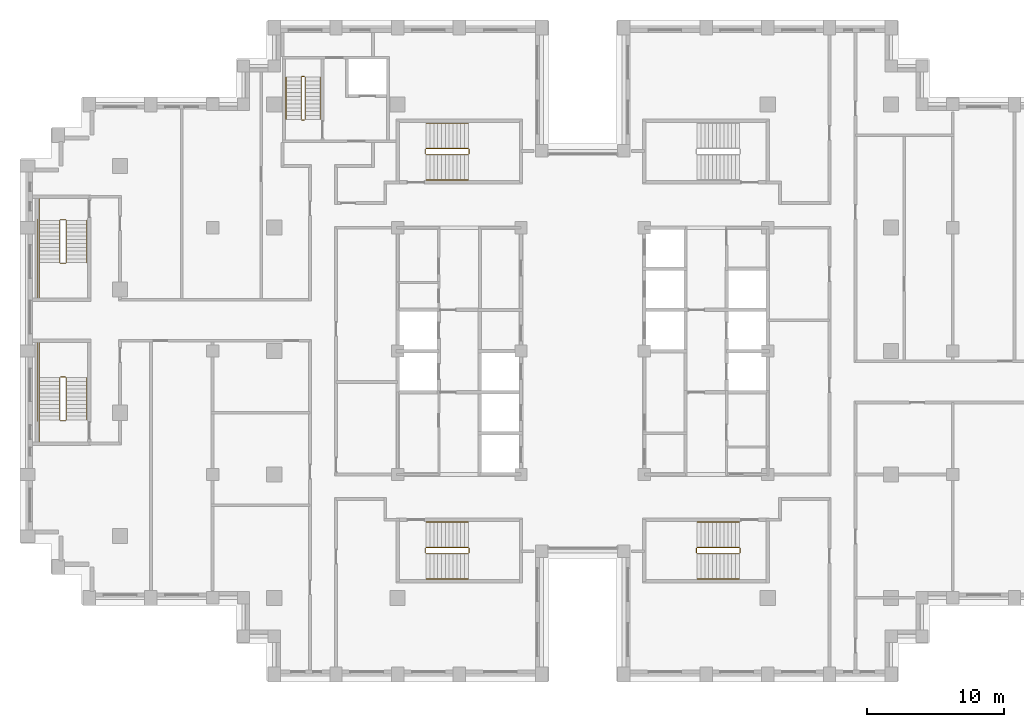
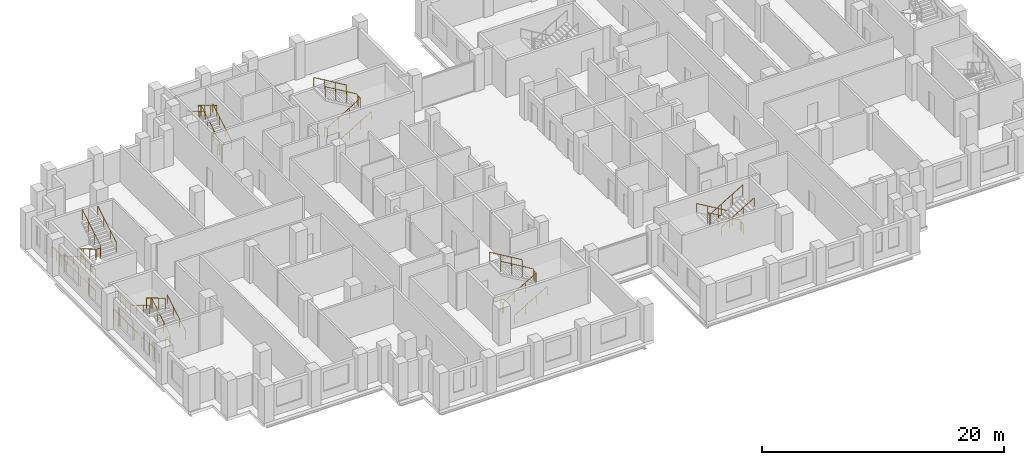
# One storey, part 15 of 16: 6 railings.
"""IFC4 building model written with IfcOpenShell, lengths in metres."""

from ifc_helpers import new_model, si_unit, direction, frame, origin, origin_2d, place, context, subcontext, project, spatial, circle, extrude, material, type_object, element, save


model = new_model("IFC4")

# Units and contexts
model_context = context("Model", 3, precision=1e-05, world=origin(), true_north=direction((0.0, 1.0)))
body_context = subcontext(model_context, "Body", "Model", "MODEL_VIEW")
ifc_project = project(units=[si_unit("LENGTHUNIT", "METRE"), si_unit("AREAUNIT", "SQUARE_METRE"), si_unit("VOLUMEUNIT", "CUBIC_METRE"), si_unit("PLANEANGLEUNIT", "RADIAN"), si_unit("MASSUNIT", "GRAM", prefix="KILO")], contexts=[model_context])

# Site, building, storey
site_placement = place(None, origin())
site = spatial("IfcSite", under=ifc_project, at=site_placement, CompositionType="ELEMENT")
building_placement = place(site_placement, origin())
building = spatial("IfcBuilding", under=site, at=building_placement, Name="Corbelhall Arena Tower", CompositionType="ELEMENT")
storey_placement = place(building_placement, frame((0.0, 0.0, 158.0)))
storey = spatial("IfcBuildingStorey", under=building, at=storey_placement, Name="L31", CompositionType="ELEMENT", Elevation=158.0)

# Railings
ifc_material = material(Name="Steel ASTM A500 Gr C", Category="steel")
railing_type = type_object("IfcRailingType", Name="IN-GD-1100", PredefinedType="GUARDRAIL", material=ifc_material)
railing_1_placement = place(storey_placement, frame((-11.425048828125, 14.324951171875, 0.166748046875)))
element("IfcRailing", 1, at=railing_1_placement, inside=storey, type_object=railing_type, Name="L31 ST1 stair guards and handrails", PredefinedType="GUARDRAIL", context=body_context, shape_type="SweptSolid", body=[
    extrude(circle(Radius=0.02392578125, at=origin_2d()), frame((0.0, 0.0, 1.076171875), z_axis=(0.859308565015, 0.0, 0.511457515432), x_axis=(0.0, 1.0, 0.0)), (0.0, 0.0, 1.0), 3.58447265625),
    extrude(circle(Radius=0.02392578125, at=origin_2d()), frame((3.130126953125, 0.050048828125, 2.9091796875), z_axis=(0.0, 1.0, 0.0), x_axis=(-1.0, 0.0, 0.0)), (0.0, 0.0, 1.0), 0.35009765625),
    extrude(circle(Radius=0.02392578125, at=origin_2d()), frame((3.080078125, 0.449951171875, 3.076171875), z_axis=(-0.859308565015, 0.0, 0.511457515432), x_axis=(0.0, -1.0, 0.0)), (0.0, 0.0, 1.0), 3.58447265625),
    extrude(circle(Radius=0.02392578125, at=origin_2d()), frame((-0.050048828125, 0.050048828125, 0.9091796875), z_axis=(0.0, 1.0, 0.0), x_axis=(-1.0, 0.0, 0.0)), (0.0, 0.0, 1.0), 0.35009765625),
    extrude(circle(Radius=0.02392578125, at=origin_2d()), frame((0.0, -1.849853515625, 0.8759765625), z_axis=(0.859308565015, 0.0, 0.511457515432), x_axis=(0.0, 1.0, 0.0)), (0.0, 0.0, 1.0), 3.58447265625),
    extrude(circle(Radius=0.02392578125, at=origin_2d()), frame((3.080078125, 2.300048828125, 2.8759765625), z_axis=(-0.859308565015, 0.0, 0.511457515432), x_axis=(0.0, -1.0, 0.0)), (0.0, 0.0, 1.0), 3.58447265625),
    extrude(circle(Radius=0.02099609375, at=origin_2d()), origin(), (0.0, 0.0, 1.0), 1.052001953125),
    extrude(circle(Radius=0.02099609375, at=origin_2d()), frame((1.026611328125, 0.0, 0.611083984375)), (0.0, 0.0, 1.0), 1.052001953125),
    extrude(circle(Radius=0.02099609375, at=origin_2d()), frame((2.053466796875, 0.0, 1.22216796875)), (0.0, 0.0, 1.0), 1.052001953125),
    extrude(circle(Radius=0.02099609375, at=origin_2d()), frame((3.080078125, 0.0, 1.833251953125)), (0.0, 0.0, 1.0), 1.052001953125),
    extrude(circle(Radius=0.02099609375, at=origin_2d()), frame((3.130126953125, 0.050048828125, 1.833251953125)), (0.0, 0.0, 1.0), 1.052001953125),
    extrude(circle(Radius=0.02099609375, at=origin_2d()), frame((3.130126953125, 0.400146484375, 1.833251953125)), (0.0, 0.0, 1.0), 1.052001953125),
    extrude(circle(Radius=0.02099609375, at=origin_2d()), frame((3.080078125, 0.449951171875, 2.0)), (0.0, 0.0, 1.0), 1.052001953125),
    extrude(circle(Radius=0.02099609375, at=origin_2d()), frame((2.053466796875, 0.449951171875, 2.611083984375)), (0.0, 0.0, 1.0), 1.052001953125),
    extrude(circle(Radius=0.02099609375, at=origin_2d()), frame((1.026611328125, 0.449951171875, 3.22216796875)), (0.0, 0.0, 1.0), 1.052001953125),
    extrude(circle(Radius=0.02099609375, at=origin_2d()), frame((0.0, 0.449951171875, 3.833251953125)), (0.0, 0.0, 1.0), 1.052001953125),
    extrude(circle(Radius=0.02099609375, at=origin_2d()), frame((-0.050048828125, 0.050048828125, -0.166748046875)), (0.0, 0.0, 1.0), 1.052001953125),
    extrude(circle(Radius=0.02099609375, at=origin_2d()), frame((-0.050048828125, 0.400146484375, -0.166748046875)), (0.0, 0.0, 1.0), 1.052001953125),
    extrude(circle(Radius=0.02099609375, at=origin_2d()), frame((0.0, -1.849853515625, 0.0)), (0.0, 0.0, 1.0), 0.851806640625),
    extrude(circle(Radius=0.02099609375, at=origin_2d()), frame((1.026611328125, -1.849853515625, 0.611083984375)), (0.0, 0.0, 1.0), 0.851806640625),
    extrude(circle(Radius=0.02099609375, at=origin_2d()), frame((2.053466796875, -1.849853515625, 1.22216796875)), (0.0, 0.0, 1.0), 0.851806640625),
    extrude(circle(Radius=0.02099609375, at=origin_2d()), frame((3.080078125, -1.849853515625, 1.833251953125)), (0.0, 0.0, 1.0), 0.851806640625),
    extrude(circle(Radius=0.02099609375, at=origin_2d()), frame((3.080078125, 2.300048828125, 2.0)), (0.0, 0.0, 1.0), 0.851806640625),
    extrude(circle(Radius=0.02099609375, at=origin_2d()), frame((2.053466796875, 2.300048828125, 2.611083984375)), (0.0, 0.0, 1.0), 0.851806640625),
    extrude(circle(Radius=0.02099609375, at=origin_2d()), frame((1.026611328125, 2.300048828125, 3.22216796875)), (0.0, 0.0, 1.0), 0.851806640625),
    extrude(circle(Radius=0.02099609375, at=origin_2d()), frame((0.0, 2.300048828125, 3.833251953125)), (0.0, 0.0, 1.0), 0.851806640625),
])
railing_2_placement = place(storey_placement, frame((-11.425048828125, -14.77490234375, 0.166748046875)))
element("IfcRailing", 2, at=railing_2_placement, inside=storey, type_object=railing_type, Name="L31 ST2 stair guards and handrails", PredefinedType="GUARDRAIL", context=body_context, shape_type="SweptSolid", body=[
    extrude(circle(Radius=0.02392578125, at=origin_2d()), frame((0.0, 0.0, 1.076171875), z_axis=(0.859308565015, 0.0, 0.511457515432), x_axis=(0.0, 1.0, 0.0)), (0.0, 0.0, 1.0), 3.58447265625),
    extrude(circle(Radius=0.02392578125, at=origin_2d()), frame((3.130126953125, 0.0498046875, 2.9091796875), z_axis=(0.0, 1.0, 0.0), x_axis=(-1.0, 0.0, 0.0)), (0.0, 0.0, 1.0), 0.35009765625),
    extrude(circle(Radius=0.02392578125, at=origin_2d()), frame((3.080078125, 0.449951171875, 3.076171875), z_axis=(-0.859308565015, 0.0, 0.511457515432), x_axis=(0.0, -1.0, 0.0)), (0.0, 0.0, 1.0), 3.58447265625),
    extrude(circle(Radius=0.02392578125, at=origin_2d()), frame((-0.050048828125, 0.0498046875, 0.9091796875), z_axis=(0.0, 1.0, 0.0), x_axis=(-1.0, 0.0, 0.0)), (0.0, 0.0, 1.0), 0.35009765625),
    extrude(circle(Radius=0.02392578125, at=origin_2d()), frame((0.0, -1.85009765625, 0.8759765625), z_axis=(0.859308565015, 0.0, 0.511457515432), x_axis=(0.0, 1.0, 0.0)), (0.0, 0.0, 1.0), 3.58447265625),
    extrude(circle(Radius=0.02392578125, at=origin_2d()), frame((3.080078125, 2.2998046875, 2.8759765625), z_axis=(-0.859308565015, 0.0, 0.511457515432), x_axis=(0.0, -1.0, 0.0)), (0.0, 0.0, 1.0), 3.58447265625),
    extrude(circle(Radius=0.02099609375, at=origin_2d()), origin(), (0.0, 0.0, 1.0), 1.052001953125),
    extrude(circle(Radius=0.02099609375, at=origin_2d()), frame((1.026611328125, 0.0, 0.611083984375)), (0.0, 0.0, 1.0), 1.052001953125),
    extrude(circle(Radius=0.02099609375, at=origin_2d()), frame((2.053466796875, 0.0, 1.22216796875)), (0.0, 0.0, 1.0), 1.052001953125),
    extrude(circle(Radius=0.02099609375, at=origin_2d()), frame((3.080078125, 0.0, 1.833251953125)), (0.0, 0.0, 1.0), 1.052001953125),
    extrude(circle(Radius=0.02099609375, at=origin_2d()), frame((3.130126953125, 0.0498046875, 1.833251953125)), (0.0, 0.0, 1.0), 1.052001953125),
    extrude(circle(Radius=0.02099609375, at=origin_2d()), frame((3.130126953125, 0.39990234375, 1.833251953125)), (0.0, 0.0, 1.0), 1.052001953125),
    extrude(circle(Radius=0.02099609375, at=origin_2d()), frame((3.080078125, 0.449951171875, 2.0)), (0.0, 0.0, 1.0), 1.052001953125),
    extrude(circle(Radius=0.02099609375, at=origin_2d()), frame((2.053466796875, 0.449951171875, 2.611083984375)), (0.0, 0.0, 1.0), 1.052001953125),
    extrude(circle(Radius=0.02099609375, at=origin_2d()), frame((1.026611328125, 0.449951171875, 3.22216796875)), (0.0, 0.0, 1.0), 1.052001953125),
    extrude(circle(Radius=0.02099609375, at=origin_2d()), frame((0.0, 0.449951171875, 3.833251953125)), (0.0, 0.0, 1.0), 1.052001953125),
    extrude(circle(Radius=0.02099609375, at=origin_2d()), frame((-0.050048828125, 0.0498046875, -0.166748046875)), (0.0, 0.0, 1.0), 1.052001953125),
    extrude(circle(Radius=0.02099609375, at=origin_2d()), frame((-0.050048828125, 0.39990234375, -0.166748046875)), (0.0, 0.0, 1.0), 1.052001953125),
    extrude(circle(Radius=0.02099609375, at=origin_2d()), frame((0.0, -1.85009765625, 0.0)), (0.0, 0.0, 1.0), 0.851806640625),
    extrude(circle(Radius=0.02099609375, at=origin_2d()), frame((1.026611328125, -1.85009765625, 0.611083984375)), (0.0, 0.0, 1.0), 0.851806640625),
    extrude(circle(Radius=0.02099609375, at=origin_2d()), frame((2.053466796875, -1.85009765625, 1.22216796875)), (0.0, 0.0, 1.0), 0.851806640625),
    extrude(circle(Radius=0.02099609375, at=origin_2d()), frame((3.080078125, -1.85009765625, 1.833251953125)), (0.0, 0.0, 1.0), 0.851806640625),
    extrude(circle(Radius=0.02099609375, at=origin_2d()), frame((3.080078125, 2.2998046875, 2.0)), (0.0, 0.0, 1.0), 0.851806640625),
    extrude(circle(Radius=0.02099609375, at=origin_2d()), frame((2.053466796875, 2.2998046875, 2.611083984375)), (0.0, 0.0, 1.0), 0.851806640625),
    extrude(circle(Radius=0.02099609375, at=origin_2d()), frame((1.026611328125, 2.2998046875, 3.22216796875)), (0.0, 0.0, 1.0), 0.851806640625),
    extrude(circle(Radius=0.02099609375, at=origin_2d()), frame((0.0, 2.2998046875, 3.833251953125)), (0.0, 0.0, 1.0), 0.851806640625),
])
railing_3_placement = place(storey_placement, frame((11.425048828125, -14.324951171875, 0.166748046875)))
element("IfcRailing", 3, at=railing_3_placement, inside=storey, type_object=railing_type, Name="L31 ST4 stair guards and handrails", PredefinedType="GUARDRAIL", context=body_context, shape_type="SweptSolid", body=[
    extrude(circle(Radius=0.02392578125, at=origin_2d()), frame((0.0, 0.0, 1.076171875), z_axis=(-0.859308565015, 0.0, 0.511457515432), x_axis=(0.0, -1.0, 0.0)), (0.0, 0.0, 1.0), 3.58447265625),
    extrude(circle(Radius=0.02392578125, at=origin_2d()), frame((-3.130126953125, -0.050048828125, 2.9091796875), z_axis=(0.0, -1.0, 0.0), x_axis=(1.0, 0.0, 0.0)), (0.0, 0.0, 1.0), 0.35009765625),
    extrude(circle(Radius=0.02392578125, at=origin_2d()), frame((-3.080078125, -0.449951171875, 3.076171875), z_axis=(0.859308565015, 0.0, 0.511457515432), x_axis=(0.0, 1.0, 0.0)), (0.0, 0.0, 1.0), 3.58447265625),
    extrude(circle(Radius=0.02392578125, at=origin_2d()), frame((0.050048828125, -0.050048828125, 0.9091796875), z_axis=(0.0, -1.0, 0.0), x_axis=(1.0, 0.0, 0.0)), (0.0, 0.0, 1.0), 0.35009765625),
    extrude(circle(Radius=0.02392578125, at=origin_2d()), frame((0.0, 1.849853515625, 0.8759765625), z_axis=(-0.859308565015, 0.0, 0.511457515432), x_axis=(0.0, -1.0, 0.0)), (0.0, 0.0, 1.0), 3.58447265625),
    extrude(circle(Radius=0.02392578125, at=origin_2d()), frame((-3.080078125, -2.300048828125, 2.8759765625), z_axis=(0.859308565015, 0.0, 0.511457515432), x_axis=(0.0, 1.0, 0.0)), (0.0, 0.0, 1.0), 3.58447265625),
    extrude(circle(Radius=0.02099609375, at=origin_2d()), origin(), (0.0, 0.0, 1.0), 1.052001953125),
    extrude(circle(Radius=0.02099609375, at=origin_2d()), frame((-1.026611328125, 0.0, 0.611083984375)), (0.0, 0.0, 1.0), 1.052001953125),
    extrude(circle(Radius=0.02099609375, at=origin_2d()), frame((-2.053466796875, 0.0, 1.22216796875)), (0.0, 0.0, 1.0), 1.052001953125),
    extrude(circle(Radius=0.02099609375, at=origin_2d()), frame((-3.080078125, 0.0, 1.833251953125)), (0.0, 0.0, 1.0), 1.052001953125),
    extrude(circle(Radius=0.02099609375, at=origin_2d()), frame((-3.130126953125, -0.050048828125, 1.833251953125)), (0.0, 0.0, 1.0), 1.052001953125),
    extrude(circle(Radius=0.02099609375, at=origin_2d()), frame((-3.130126953125, -0.400146484375, 1.833251953125)), (0.0, 0.0, 1.0), 1.052001953125),
    extrude(circle(Radius=0.02099609375, at=origin_2d()), frame((-3.080078125, -0.449951171875, 2.0)), (0.0, 0.0, 1.0), 1.052001953125),
    extrude(circle(Radius=0.02099609375, at=origin_2d()), frame((-2.053466796875, -0.449951171875, 2.611083984375)), (0.0, 0.0, 1.0), 1.052001953125),
    extrude(circle(Radius=0.02099609375, at=origin_2d()), frame((-1.026611328125, -0.449951171875, 3.22216796875)), (0.0, 0.0, 1.0), 1.052001953125),
    extrude(circle(Radius=0.02099609375, at=origin_2d()), frame((0.0, -0.449951171875, 3.833251953125)), (0.0, 0.0, 1.0), 1.052001953125),
    extrude(circle(Radius=0.02099609375, at=origin_2d()), frame((0.050048828125, -0.050048828125, -0.166748046875)), (0.0, 0.0, 1.0), 1.052001953125),
    extrude(circle(Radius=0.02099609375, at=origin_2d()), frame((0.050048828125, -0.400146484375, -0.166748046875)), (0.0, 0.0, 1.0), 1.052001953125),
    extrude(circle(Radius=0.02099609375, at=origin_2d()), frame((0.0, 1.849853515625, 0.0)), (0.0, 0.0, 1.0), 0.851806640625),
    extrude(circle(Radius=0.02099609375, at=origin_2d()), frame((-1.026611328125, 1.849853515625, 0.611083984375)), (0.0, 0.0, 1.0), 0.851806640625),
    extrude(circle(Radius=0.02099609375, at=origin_2d()), frame((-2.053466796875, 1.849853515625, 1.22216796875)), (0.0, 0.0, 1.0), 0.851806640625),
    extrude(circle(Radius=0.02099609375, at=origin_2d()), frame((-3.080078125, 1.849853515625, 1.833251953125)), (0.0, 0.0, 1.0), 0.851806640625),
    extrude(circle(Radius=0.02099609375, at=origin_2d()), frame((-3.080078125, -2.300048828125, 2.0)), (0.0, 0.0, 1.0), 0.851806640625),
    extrude(circle(Radius=0.02099609375, at=origin_2d()), frame((-2.053466796875, -2.300048828125, 2.611083984375)), (0.0, 0.0, 1.0), 0.851806640625),
    extrude(circle(Radius=0.02099609375, at=origin_2d()), frame((-1.026611328125, -2.300048828125, 3.22216796875)), (0.0, 0.0, 1.0), 0.851806640625),
    extrude(circle(Radius=0.02099609375, at=origin_2d()), frame((0.0, -2.300048828125, 3.833251953125)), (0.0, 0.0, 1.0), 0.851806640625),
])
railing_4_placement = place(storey_placement, frame((-38.14990234375, 9.52490234375, 0.166748046875)))
element("IfcRailing", 4, at=railing_4_placement, inside=storey, type_object=railing_type, Name="L31 SC1 stair guards and handrails", PredefinedType="GUARDRAIL", context=body_context, shape_type="SweptSolid", body=[
    extrude(circle(Radius=0.02392578125, at=origin_2d()), frame((0.0, 0.0, 1.076171875), z_axis=(0.0, -0.859290745958, 0.51148745235), x_axis=(1.0, 0.0, 0.0)), (0.0, 0.0, 1.0), 3.584228515625),
    extrude(circle(Radius=0.02392578125, at=origin_2d()), frame((0.0498046875, -3.1298828125, 2.9091796875), z_axis=(1.0, 0.0, 0.0), x_axis=(0.0, 1.0, 0.0)), (0.0, 0.0, 1.0), 0.375),
    extrude(circle(Radius=0.02392578125, at=origin_2d()), frame((-1.5, -3.079833984375, 2.9091796875), z_axis=(0.0, -1.0, 0.0), x_axis=(1.0, 0.0, 0.0)), (0.0, 0.0, 1.0), 2.570068359375),
    extrude(circle(Radius=0.02392578125, at=origin_2d()), frame((0.474853515625, -3.079833984375, 3.076171875), z_axis=(0.0, 0.859290745958, 0.51148745235), x_axis=(-1.0, 0.0, 0.0)), (0.0, 0.0, 1.0), 3.584228515625),
    extrude(circle(Radius=0.02392578125, at=origin_2d()), frame((0.0498046875, 0.050048828125, 0.9091796875), z_axis=(1.0, 0.0, 0.0), x_axis=(0.0, 1.0, 0.0)), (0.0, 0.0, 1.0), 0.375),
    extrude(circle(Radius=0.02392578125, at=origin_2d()), frame((-1.5, 1.60009765625, 0.9091796875), z_axis=(0.0, -1.0, 0.0), x_axis=(1.0, 0.0, 0.0)), (0.0, 0.0, 1.0), 1.60009765625),
    extrude(circle(Radius=0.02392578125, at=origin_2d()), frame((-1.60009765625, 0.10009765625, 0.9091796875), z_axis=(0.0, -1.0, 0.0), x_axis=(1.0, 0.0, 0.0)), (0.0, 0.0, 1.0), 5.85009765625),
    extrude(circle(Radius=0.02392578125, at=origin_2d()), frame((-1.5, 0.0, 0.8759765625), z_axis=(0.0, -0.859290745958, 0.51148745235), x_axis=(1.0, 0.0, 0.0)), (0.0, 0.0, 1.0), 3.584228515625),
    extrude(circle(Radius=0.02392578125, at=origin_2d()), frame((1.974853515625, -3.079833984375, 2.8759765625), z_axis=(0.0, 0.859290745958, 0.51148745235), x_axis=(-1.0, 0.0, 0.0)), (0.0, 0.0, 1.0), 3.584228515625),
    extrude(circle(Radius=0.02099609375, at=origin_2d()), origin(), (0.0, 0.0, 1.0), 1.052001953125),
    extrude(circle(Radius=0.02099609375, at=origin_2d()), frame((0.0, -1.026611328125, 0.611083984375)), (0.0, 0.0, 1.0), 1.052001953125),
    extrude(circle(Radius=0.02099609375, at=origin_2d()), frame((0.0, -2.05322265625, 1.22216796875)), (0.0, 0.0, 1.0), 1.052001953125),
    extrude(circle(Radius=0.02099609375, at=origin_2d()), frame((0.0, -3.079833984375, 1.833251953125)), (0.0, 0.0, 1.0), 1.052001953125),
    extrude(circle(Radius=0.02099609375, at=origin_2d()), frame((0.0498046875, -3.1298828125, 1.833251953125)), (0.0, 0.0, 1.0), 1.052001953125),
    extrude(circle(Radius=0.02099609375, at=origin_2d()), frame((0.4248046875, -3.1298828125, 1.833251953125)), (0.0, 0.0, 1.0), 1.052001953125),
    extrude(circle(Radius=0.02099609375, at=origin_2d()), frame((-1.5, -3.079833984375, 1.833251953125)), (0.0, 0.0, 1.0), 1.052001953125),
    extrude(circle(Radius=0.02099609375, at=origin_2d()), frame((-1.5, -3.9365234375, 1.833251953125)), (0.0, 0.0, 1.0), 1.052001953125),
    extrude(circle(Radius=0.02099609375, at=origin_2d()), frame((-1.5, -4.793212890625, 1.833251953125)), (0.0, 0.0, 1.0), 1.052001953125),
    extrude(circle(Radius=0.02099609375, at=origin_2d()), frame((-1.5, -5.64990234375, 1.833251953125)), (0.0, 0.0, 1.0), 1.052001953125),
    extrude(circle(Radius=0.02099609375, at=origin_2d()), frame((0.474853515625, -3.079833984375, 2.0)), (0.0, 0.0, 1.0), 1.052001953125),
    extrude(circle(Radius=0.02099609375, at=origin_2d()), frame((0.474853515625, -2.05322265625, 2.611083984375)), (0.0, 0.0, 1.0), 1.052001953125),
    extrude(circle(Radius=0.02099609375, at=origin_2d()), frame((0.474853515625, -1.026611328125, 3.22216796875)), (0.0, 0.0, 1.0), 1.052001953125),
    extrude(circle(Radius=0.02099609375, at=origin_2d()), frame((0.474853515625, 0.0, 3.833251953125)), (0.0, 0.0, 1.0), 1.052001953125),
    extrude(circle(Radius=0.02099609375, at=origin_2d()), frame((0.0498046875, 0.050048828125, -0.166748046875)), (0.0, 0.0, 1.0), 1.052001953125),
    extrude(circle(Radius=0.02099609375, at=origin_2d()), frame((0.4248046875, 0.050048828125, -0.166748046875)), (0.0, 0.0, 1.0), 1.052001953125),
    extrude(circle(Radius=0.02099609375, at=origin_2d()), frame((-1.5, 1.60009765625, -0.166748046875)), (0.0, 0.0, 1.0), 1.052001953125),
    extrude(circle(Radius=0.02099609375, at=origin_2d()), frame((-1.5, 0.800048828125, -0.166748046875)), (0.0, 0.0, 1.0), 1.052001953125),
    extrude(circle(Radius=0.02099609375, at=origin_2d()), frame((-1.5, 0.0, -0.166748046875)), (0.0, 0.0, 1.0), 1.052001953125),
    extrude(circle(Radius=0.02099609375, at=origin_2d()), frame((-1.60009765625, 0.10009765625, -0.166748046875)), (0.0, 0.0, 1.0), 1.052001953125),
    extrude(circle(Radius=0.02099609375, at=origin_2d()), frame((-1.60009765625, -1.06982421875, -0.166748046875)), (0.0, 0.0, 1.0), 1.052001953125),
    extrude(circle(Radius=0.02099609375, at=origin_2d()), frame((-1.60009765625, -2.239990234375, -0.166748046875)), (0.0, 0.0, 1.0), 1.052001953125),
    extrude(circle(Radius=0.02099609375, at=origin_2d()), frame((-1.60009765625, -3.409912109375, -0.166748046875)), (0.0, 0.0, 1.0), 1.052001953125),
    extrude(circle(Radius=0.02099609375, at=origin_2d()), frame((-1.60009765625, -4.580078125, -0.166748046875)), (0.0, 0.0, 1.0), 1.052001953125),
    extrude(circle(Radius=0.02099609375, at=origin_2d()), frame((-1.60009765625, -5.75, -0.166748046875)), (0.0, 0.0, 1.0), 1.052001953125),
    extrude(circle(Radius=0.02099609375, at=origin_2d()), frame((-1.5, 0.0, 0.0)), (0.0, 0.0, 1.0), 0.851806640625),
    extrude(circle(Radius=0.02099609375, at=origin_2d()), frame((-1.5, -1.026611328125, 0.611083984375)), (0.0, 0.0, 1.0), 0.851806640625),
    extrude(circle(Radius=0.02099609375, at=origin_2d()), frame((-1.5, -2.05322265625, 1.22216796875)), (0.0, 0.0, 1.0), 0.851806640625),
    extrude(circle(Radius=0.02099609375, at=origin_2d()), frame((1.974853515625, -3.079833984375, 2.0)), (0.0, 0.0, 1.0), 0.851806640625),
    extrude(circle(Radius=0.02099609375, at=origin_2d()), frame((1.974853515625, -2.05322265625, 2.611083984375)), (0.0, 0.0, 1.0), 0.851806640625),
    extrude(circle(Radius=0.02099609375, at=origin_2d()), frame((1.974853515625, -1.026611328125, 3.22216796875)), (0.0, 0.0, 1.0), 0.851806640625),
    extrude(circle(Radius=0.02099609375, at=origin_2d()), frame((1.974853515625, 0.0, 3.833251953125)), (0.0, 0.0, 1.0), 0.851806640625),
])
railing_5_placement = place(storey_placement, frame((-37.675048828125, -5.02490234375, 0.166748046875)))
element("IfcRailing", 5, at=railing_5_placement, inside=storey, type_object=railing_type, Name="L31 SC2 stair guards and handrails", PredefinedType="GUARDRAIL", context=body_context, shape_type="SweptSolid", body=[
    extrude(circle(Radius=0.02392578125, at=origin_2d()), frame((0.0, 0.0, 1.076171875), z_axis=(0.0, 0.859290745958, 0.51148745235), x_axis=(-1.0, 0.0, 0.0)), (0.0, 0.0, 1.0), 3.584228515625),
    extrude(circle(Radius=0.02392578125, at=origin_2d()), frame((-0.050048828125, 3.1298828125, 2.9091796875), z_axis=(-1.0, 0.0, 0.0), x_axis=(0.0, -1.0, 0.0)), (0.0, 0.0, 1.0), 0.375),
    extrude(circle(Radius=0.02392578125, at=origin_2d()), frame((-1.974853515625, 3.079833984375, 2.9091796875), z_axis=(0.0, 1.0, 0.0), x_axis=(-1.0, 0.0, 0.0)), (0.0, 0.0, 1.0), 2.570068359375),
    extrude(circle(Radius=0.02392578125, at=origin_2d()), frame((-0.474853515625, 3.079833984375, 3.076171875), z_axis=(0.0, -0.859290745958, 0.51148745235), x_axis=(1.0, 0.0, 0.0)), (0.0, 0.0, 1.0), 3.584228515625),
    extrude(circle(Radius=0.02392578125, at=origin_2d()), frame((-0.050048828125, -0.050048828125, 0.9091796875), z_axis=(-1.0, 0.0, 0.0), x_axis=(0.0, -1.0, 0.0)), (0.0, 0.0, 1.0), 0.375),
    extrude(circle(Radius=0.02392578125, at=origin_2d()), frame((-1.974853515625, -1.60009765625, 0.9091796875), z_axis=(0.0, 1.0, 0.0), x_axis=(-1.0, 0.0, 0.0)), (0.0, 0.0, 1.0), 1.60009765625),
    extrude(circle(Radius=0.02392578125, at=origin_2d()), frame((-2.074951171875, -0.10009765625, 0.9091796875), z_axis=(0.0, 1.0, 0.0), x_axis=(-1.0, 0.0, 0.0)), (0.0, 0.0, 1.0), 5.85009765625),
    extrude(circle(Radius=0.02392578125, at=origin_2d()), frame((1.5, 0.0, 0.8759765625), z_axis=(0.0, 0.859290745958, 0.51148745235), x_axis=(-1.0, 0.0, 0.0)), (0.0, 0.0, 1.0), 3.584228515625),
    extrude(circle(Radius=0.02392578125, at=origin_2d()), frame((-1.974853515625, 3.079833984375, 2.8759765625), z_axis=(0.0, -0.859290745958, 0.51148745235), x_axis=(1.0, 0.0, 0.0)), (0.0, 0.0, 1.0), 3.584228515625),
    extrude(circle(Radius=0.02099609375, at=origin_2d()), origin(), (0.0, 0.0, 1.0), 1.052001953125),
    extrude(circle(Radius=0.02099609375, at=origin_2d()), frame((0.0, 1.026611328125, 0.611083984375)), (0.0, 0.0, 1.0), 1.052001953125),
    extrude(circle(Radius=0.02099609375, at=origin_2d()), frame((0.0, 2.05322265625, 1.22216796875)), (0.0, 0.0, 1.0), 1.052001953125),
    extrude(circle(Radius=0.02099609375, at=origin_2d()), frame((0.0, 3.079833984375, 1.833251953125)), (0.0, 0.0, 1.0), 1.052001953125),
    extrude(circle(Radius=0.02099609375, at=origin_2d()), frame((-0.050048828125, 3.1298828125, 1.833251953125)), (0.0, 0.0, 1.0), 1.052001953125),
    extrude(circle(Radius=0.02099609375, at=origin_2d()), frame((-0.425048828125, 3.1298828125, 1.833251953125)), (0.0, 0.0, 1.0), 1.052001953125),
    extrude(circle(Radius=0.02099609375, at=origin_2d()), frame((-1.974853515625, 3.079833984375, 1.833251953125)), (0.0, 0.0, 1.0), 1.052001953125),
    extrude(circle(Radius=0.02099609375, at=origin_2d()), frame((-1.974853515625, 3.9365234375, 1.833251953125)), (0.0, 0.0, 1.0), 1.052001953125),
    extrude(circle(Radius=0.02099609375, at=origin_2d()), frame((-1.974853515625, 4.793212890625, 1.833251953125)), (0.0, 0.0, 1.0), 1.052001953125),
    extrude(circle(Radius=0.02099609375, at=origin_2d()), frame((-1.974853515625, 5.64990234375, 1.833251953125)), (0.0, 0.0, 1.0), 1.052001953125),
    extrude(circle(Radius=0.02099609375, at=origin_2d()), frame((-0.474853515625, 3.079833984375, 2.0)), (0.0, 0.0, 1.0), 1.052001953125),
    extrude(circle(Radius=0.02099609375, at=origin_2d()), frame((-0.474853515625, 2.05322265625, 2.611083984375)), (0.0, 0.0, 1.0), 1.052001953125),
    extrude(circle(Radius=0.02099609375, at=origin_2d()), frame((-0.474853515625, 1.026611328125, 3.22216796875)), (0.0, 0.0, 1.0), 1.052001953125),
    extrude(circle(Radius=0.02099609375, at=origin_2d()), frame((-0.474853515625, 0.0, 3.833251953125)), (0.0, 0.0, 1.0), 1.052001953125),
    extrude(circle(Radius=0.02099609375, at=origin_2d()), frame((-0.050048828125, -0.050048828125, -0.166748046875)), (0.0, 0.0, 1.0), 1.052001953125),
    extrude(circle(Radius=0.02099609375, at=origin_2d()), frame((-0.425048828125, -0.050048828125, -0.166748046875)), (0.0, 0.0, 1.0), 1.052001953125),
    extrude(circle(Radius=0.02099609375, at=origin_2d()), frame((-1.974853515625, -1.60009765625, -0.166748046875)), (0.0, 0.0, 1.0), 1.052001953125),
    extrude(circle(Radius=0.02099609375, at=origin_2d()), frame((-1.974853515625, -0.800048828125, -0.166748046875)), (0.0, 0.0, 1.0), 1.052001953125),
    extrude(circle(Radius=0.02099609375, at=origin_2d()), frame((-1.974853515625, 0.0, -0.166748046875)), (0.0, 0.0, 1.0), 1.052001953125),
    extrude(circle(Radius=0.02099609375, at=origin_2d()), frame((-2.074951171875, -0.10009765625, -0.166748046875)), (0.0, 0.0, 1.0), 1.052001953125),
    extrude(circle(Radius=0.02099609375, at=origin_2d()), frame((-2.074951171875, 1.06982421875, -0.166748046875)), (0.0, 0.0, 1.0), 1.052001953125),
    extrude(circle(Radius=0.02099609375, at=origin_2d()), frame((-2.074951171875, 2.239990234375, -0.166748046875)), (0.0, 0.0, 1.0), 1.052001953125),
    extrude(circle(Radius=0.02099609375, at=origin_2d()), frame((-2.074951171875, 3.409912109375, -0.166748046875)), (0.0, 0.0, 1.0), 1.052001953125),
    extrude(circle(Radius=0.02099609375, at=origin_2d()), frame((-2.074951171875, 4.580078125, -0.166748046875)), (0.0, 0.0, 1.0), 1.052001953125),
    extrude(circle(Radius=0.02099609375, at=origin_2d()), frame((-2.074951171875, 5.75, -0.166748046875)), (0.0, 0.0, 1.0), 1.052001953125),
    extrude(circle(Radius=0.02099609375, at=origin_2d()), frame((1.5, 0.0, 0.0)), (0.0, 0.0, 1.0), 0.851806640625),
    extrude(circle(Radius=0.02099609375, at=origin_2d()), frame((1.5, 1.026611328125, 0.611083984375)), (0.0, 0.0, 1.0), 0.851806640625),
    extrude(circle(Radius=0.02099609375, at=origin_2d()), frame((1.5, 2.05322265625, 1.22216796875)), (0.0, 0.0, 1.0), 0.851806640625),
    extrude(circle(Radius=0.02099609375, at=origin_2d()), frame((1.5, 3.079833984375, 1.833251953125)), (0.0, 0.0, 1.0), 0.851806640625),
    extrude(circle(Radius=0.02099609375, at=origin_2d()), frame((-1.974853515625, 3.079833984375, 2.0)), (0.0, 0.0, 1.0), 0.851806640625),
    extrude(circle(Radius=0.02099609375, at=origin_2d()), frame((-1.974853515625, 2.05322265625, 2.611083984375)), (0.0, 0.0, 1.0), 0.851806640625),
    extrude(circle(Radius=0.02099609375, at=origin_2d()), frame((-1.974853515625, 1.026611328125, 3.22216796875)), (0.0, 0.0, 1.0), 0.851806640625),
    extrude(circle(Radius=0.02099609375, at=origin_2d()), frame((-1.974853515625, 0.0, 3.833251953125)), (0.0, 0.0, 1.0), 0.851806640625),
])
railing_6_placement = place(storey_placement, frame((-20.2451171875, 16.89990234375, 0.166748046875)))
element("IfcRailing", 6, at=railing_6_placement, inside=storey, type_object=railing_type, Name="L31 ST5 stair guards and handrails", PredefinedType="GUARDRAIL", context=body_context, shape_type="SweptSolid", body=[
    extrude(circle(Radius=0.02392578125, at=origin_2d()), frame((0.0, 0.0, 1.076171875), z_axis=(0.0, 0.859308565015, 0.511457515432), x_axis=(-1.0, 0.0, 0.0)), (0.0, 0.0, 1.0), 3.58447265625),
    extrude(circle(Radius=0.02392578125, at=origin_2d()), frame((-0.0498046875, 3.130126953125, 2.9091796875), z_axis=(-1.0, 0.0, 0.0), x_axis=(0.0, -1.0, 0.0)), (0.0, 0.0, 1.0), 0.2001953125),
    extrude(circle(Radius=0.02392578125, at=origin_2d()), frame((-0.2998046875, 3.080078125, 3.076171875), z_axis=(0.0, -0.859308565015, 0.511457515432), x_axis=(1.0, 0.0, 0.0)), (0.0, 0.0, 1.0), 3.58447265625),
    extrude(circle(Radius=0.02392578125, at=origin_2d()), frame((-0.0498046875, -0.0498046875, 0.9091796875), z_axis=(-1.0, 0.0, 0.0), x_axis=(0.0, -1.0, 0.0)), (0.0, 0.0, 1.0), 0.2001953125),
    extrude(circle(Radius=0.02392578125, at=origin_2d()), frame((1.10009765625, 0.0, 0.8759765625), z_axis=(0.0, 0.859308565015, 0.511457515432), x_axis=(-1.0, 0.0, 0.0)), (0.0, 0.0, 1.0), 3.58447265625),
    extrude(circle(Radius=0.02392578125, at=origin_2d()), frame((-1.39990234375, 3.080078125, 2.8759765625), z_axis=(0.0, -0.859308565015, 0.511457515432), x_axis=(1.0, 0.0, 0.0)), (0.0, 0.0, 1.0), 3.58447265625),
    extrude(circle(Radius=0.02099609375, at=origin_2d()), origin(), (0.0, 0.0, 1.0), 1.052001953125),
    extrude(circle(Radius=0.02099609375, at=origin_2d()), frame((0.0, 1.026611328125, 0.611083984375)), (0.0, 0.0, 1.0), 1.052001953125),
    extrude(circle(Radius=0.02099609375, at=origin_2d()), frame((0.0, 2.053466796875, 1.22216796875)), (0.0, 0.0, 1.0), 1.052001953125),
    extrude(circle(Radius=0.02099609375, at=origin_2d()), frame((0.0, 3.080078125, 1.833251953125)), (0.0, 0.0, 1.0), 1.052001953125),
    extrude(circle(Radius=0.02099609375, at=origin_2d()), frame((-0.0498046875, 3.130126953125, 1.833251953125)), (0.0, 0.0, 1.0), 1.052001953125),
    extrude(circle(Radius=0.02099609375, at=origin_2d()), frame((-0.25, 3.130126953125, 1.833251953125)), (0.0, 0.0, 1.0), 1.052001953125),
    extrude(circle(Radius=0.02099609375, at=origin_2d()), frame((-0.2998046875, 3.080078125, 2.0)), (0.0, 0.0, 1.0), 1.052001953125),
    extrude(circle(Radius=0.02099609375, at=origin_2d()), frame((-0.2998046875, 2.053466796875, 2.611083984375)), (0.0, 0.0, 1.0), 1.052001953125),
    extrude(circle(Radius=0.02099609375, at=origin_2d()), frame((-0.2998046875, 1.026611328125, 3.22216796875)), (0.0, 0.0, 1.0), 1.052001953125),
    extrude(circle(Radius=0.02099609375, at=origin_2d()), frame((-0.2998046875, 0.0, 3.833251953125)), (0.0, 0.0, 1.0), 1.052001953125),
    extrude(circle(Radius=0.02099609375, at=origin_2d()), frame((-0.0498046875, -0.0498046875, -0.166748046875)), (0.0, 0.0, 1.0), 1.052001953125),
    extrude(circle(Radius=0.02099609375, at=origin_2d()), frame((-0.25, -0.0498046875, -0.166748046875)), (0.0, 0.0, 1.0), 1.052001953125),
    extrude(circle(Radius=0.02099609375, at=origin_2d()), frame((1.10009765625, 0.0, 0.0)), (0.0, 0.0, 1.0), 0.851806640625),
    extrude(circle(Radius=0.02099609375, at=origin_2d()), frame((1.10009765625, 1.026611328125, 0.611083984375)), (0.0, 0.0, 1.0), 0.851806640625),
    extrude(circle(Radius=0.02099609375, at=origin_2d()), frame((1.10009765625, 2.053466796875, 1.22216796875)), (0.0, 0.0, 1.0), 0.851806640625),
    extrude(circle(Radius=0.02099609375, at=origin_2d()), frame((1.10009765625, 3.080078125, 1.833251953125)), (0.0, 0.0, 1.0), 0.851806640625),
    extrude(circle(Radius=0.02099609375, at=origin_2d()), frame((-1.39990234375, 3.080078125, 2.0)), (0.0, 0.0, 1.0), 0.851806640625),
    extrude(circle(Radius=0.02099609375, at=origin_2d()), frame((-1.39990234375, 2.053466796875, 2.611083984375)), (0.0, 0.0, 1.0), 0.851806640625),
    extrude(circle(Radius=0.02099609375, at=origin_2d()), frame((-1.39990234375, 1.026611328125, 3.22216796875)), (0.0, 0.0, 1.0), 0.851806640625),
    extrude(circle(Radius=0.02099609375, at=origin_2d()), frame((-1.39990234375, 0.0, 3.833251953125)), (0.0, 0.0, 1.0), 0.851806640625),
])

save(model, "model.ifc")
